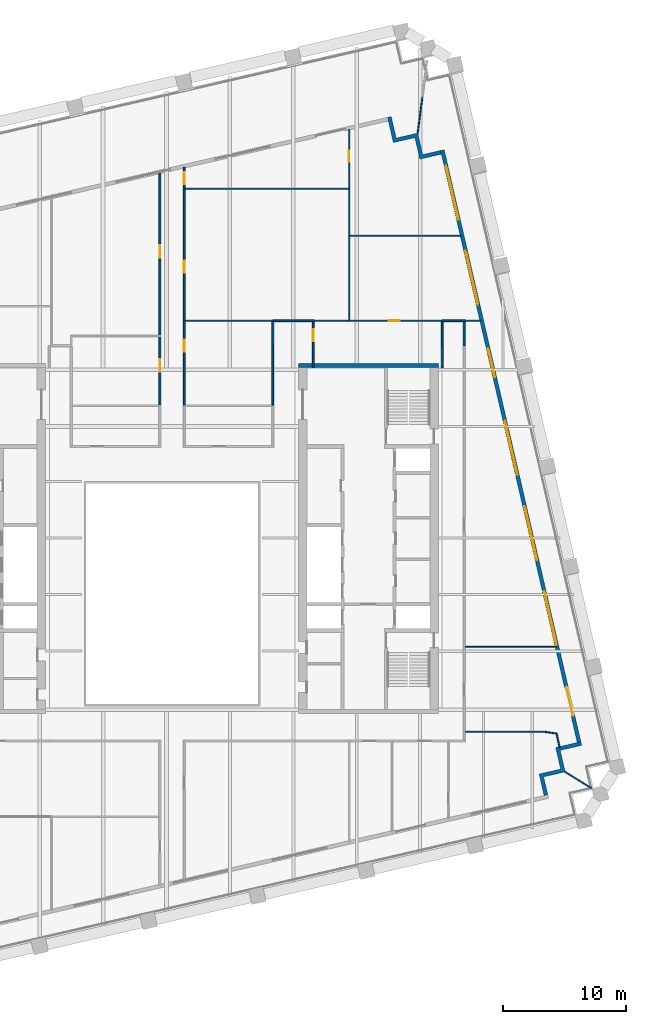
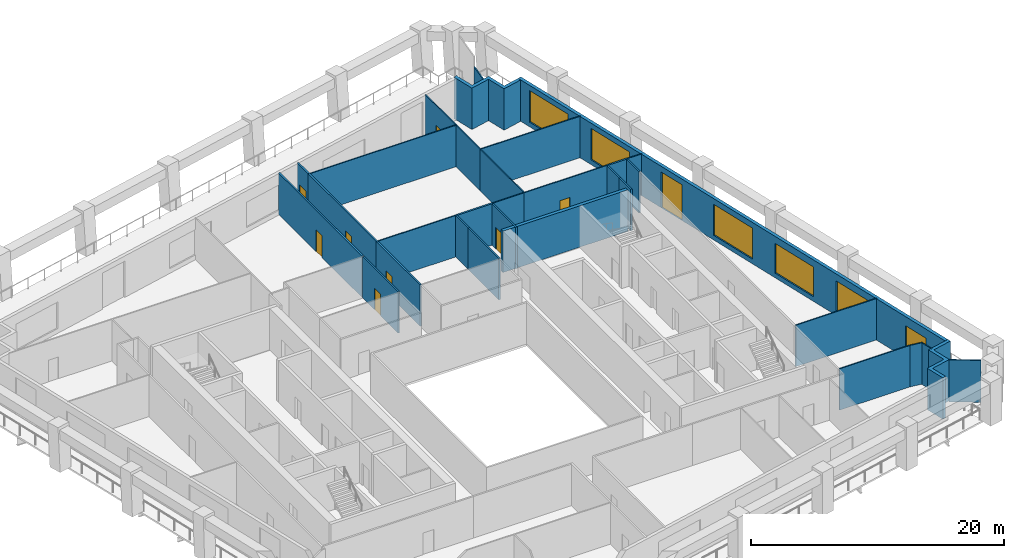
# One storey, part 8 of 11: 32 walls, 10 doors, 5 windows, 15 openings.
"""IFC4 building model written with IfcOpenShell, lengths in metres."""

import ifcopenshell
import ifcopenshell.guid

model = None  # the IFC model being written
_history = None  # IfcOwnerHistory: only IFC2X3 demands one
_inside = {}  # id of a spatial element -> (the spatial element, [elements in it])
_under = {}  # id of a project, library or spatial element -> (it, [spatial elements below it])
_declared = {}  # id of a project -> (the project, [libraries it declares])
_typed = {}  # id of a type object -> (the type object, [elements of that type])
_made_of = {}  # id of a material, layer set ... -> (it, [elements and type objects made of it])


def new_model(schema):
    """Start an empty IFC model of exactly this schema.

    Asked for "IFC4X3", IfcOpenShell would pick the latest addendum, in which some entities
    have other attributes; the version numbers below select the first issue.
    IFC2X3 requires an IfcOwnerHistory on every rooted entity: one is made here for all.
    """
    global model, _history
    if schema == "IFC4X3":
        model = ifcopenshell.file(schema_version=(4, 3, 0, 0))
    else:
        model = ifcopenshell.file(schema=schema)
    _inside.clear()
    _under.clear()
    _declared.clear()
    _typed.clear()
    _made_of.clear()
    _history = None
    if model.schema == "IFC2X3":
        org = make("IfcOrganization", Name="unknown")
        user = make(
            "IfcPersonAndOrganization",
            ThePerson=make("IfcPerson", FamilyName="unknown"),
            TheOrganization=org,
        )
        app = make(
            "IfcApplication",
            ApplicationDeveloper=org,
            Version="unknown",
            ApplicationFullName="unknown",
            ApplicationIdentifier="unknown",
        )
        _history = make(
            "IfcOwnerHistory",
            OwningUser=user,
            OwningApplication=app,
            ChangeAction="ADDED",
            CreationDate=0,
        )
    return model


def make(cls, **values):
    """One entity of the class cls with the attributes given. An attribute that is None is left unset."""
    return model.create_entity(
        cls, **{name: value for name, value in values.items() if value is not None}
    )


def rooted(cls, **values):
    """An entity with a GlobalId (a new one), such as an element, a storey or a relation."""
    return make(cls, GlobalId=ifcopenshell.guid.new(), OwnerHistory=_history, **values)


def si_unit(unit_type, name, prefix=None):
    """IfcSIUnit, for example si_unit("LENGTHUNIT", "METRE", prefix="MILLI")."""
    return make("IfcSIUnit", UnitType=unit_type, Prefix=prefix, Name=name)


def assignment(units):
    """IfcUnitAssignment: the units of a project."""
    return None if units is None else make("IfcUnitAssignment", Units=units)


def point(xyz):
    """IfcCartesianPoint."""
    return None if xyz is None else make("IfcCartesianPoint", Coordinates=xyz)


def direction(xyz):
    """IfcDirection."""
    return None if xyz is None else make("IfcDirection", DirectionRatios=xyz)


def frame(location, z_axis=None, x_axis=None):
    """IfcAxis2Placement3D, a coordinate frame: its origin and axes. An axis left out is left unset."""
    return make(
        "IfcAxis2Placement3D",
        Location=point(location),
        Axis=direction(z_axis),
        RefDirection=direction(x_axis),
    )


def frame_2d(location, x_axis=None):
    """IfcAxis2Placement2D, a coordinate frame in the plane: its origin and x axis."""
    return make(
        "IfcAxis2Placement2D", Location=point(location), RefDirection=direction(x_axis)
    )


def origin():
    """The frame at (0, 0, 0) with its axes left unset."""
    return frame((0.0, 0.0, 0.0))


def place(relative_to, where):
    """IfcLocalPlacement: puts the frame where relative to a parent placement (None: the world)."""
    return make(
        "IfcLocalPlacement", PlacementRelTo=relative_to, RelativePlacement=where
    )


def context(
    kind, dimensions, precision=None, world=None, true_north=None, identifier=None
):
    """IfcGeometricRepresentationContext, for example the 3D "Model" context."""
    return make(
        "IfcGeometricRepresentationContext",
        ContextIdentifier=identifier,
        ContextType=kind,
        CoordinateSpaceDimension=dimensions,
        Precision=precision,
        WorldCoordinateSystem=world,
        TrueNorth=true_north,
    )


def subcontext(parent, identifier, kind, view, scale=None):
    """IfcGeometricRepresentationSubContext, for example "Body" below "Model"."""
    return make(
        "IfcGeometricRepresentationSubContext",
        ContextIdentifier=identifier,
        ContextType=kind,
        ParentContext=parent,
        TargetScale=scale,
        TargetView=view,
    )


def project(units=None, contexts=None):
    """IfcProject with its units and contexts."""
    return rooted(
        "IfcProject",
        Name="project",
        RepresentationContexts=contexts,
        UnitsInContext=assignment(units),
    )


def spatial(cls, under=None, at=None, **own):
    """A site, building, storey or space (cls), placed at a placement, below another one or the project."""
    s = rooted(cls, ObjectPlacement=at, **own)
    if under is not None:
        _under.setdefault(under.id(), (under, []))[1].append(s)
    return s


def polyline(points):
    """IfcPolyline through the points."""
    return make("IfcPolyline", Points=[point(p) for p in points])


def profile(cls, at=None, kind="AREA", **sizes):
    """A parametric profile (cls). Its sizes go by their IFC names, for example OverallWidth=200.0."""
    return make(cls, ProfileType=kind, Position=at, **sizes)


def rectangle(**sizes):
    """IfcRectangleProfileDef."""
    return profile("IfcRectangleProfileDef", **sizes)


def outline(outer, holes=None, kind="AREA"):
    """IfcArbitraryClosedProfileDef: a profile drawn as a closed curve; with holes, ...WithVoids."""
    if holes is None:
        return make("IfcArbitraryClosedProfileDef", ProfileType=kind, OuterCurve=outer)
    return make(
        "IfcArbitraryProfileDefWithVoids",
        ProfileType=kind,
        OuterCurve=outer,
        InnerCurves=holes,
    )


def extrude(swept, where, along, depth):
    """IfcExtrudedAreaSolid: the profile swept, set in the frame where, extruded along a direction by depth."""
    return make(
        "IfcExtrudedAreaSolid",
        SweptArea=swept,
        Position=where,
        ExtrudedDirection=direction(along),
        Depth=depth,
    )


def shape(context_of_items, identifier, shape_type, items):
    """IfcShapeRepresentation: the items that make up one representation, for example the "Body"."""
    return make(
        "IfcShapeRepresentation",
        ContextOfItems=context_of_items,
        RepresentationIdentifier=identifier,
        RepresentationType=shape_type,
        Items=items,
    )


def material(Name=None, Category=None):
    """IfcMaterial."""
    return make("IfcMaterial", Name=Name, Category=Category)


def layer(
    of_material, thickness, ventilated=None, Name=None, Category=None, Priority=None
):
    """IfcMaterialLayer: one layer of a wall or slab, of a material (None: an air gap)."""
    return make(
        "IfcMaterialLayer",
        Material=of_material,
        LayerThickness=thickness,
        IsVentilated=ventilated,
        Name=Name,
        Category=Category,
        Priority=Priority,
    )


def layer_set(layers, Name=None):
    """IfcMaterialLayerSet."""
    return make("IfcMaterialLayerSet", MaterialLayers=layers, LayerSetName=Name)


def made_of(thing, what):
    """Note that an element or type object is made of a material, layer set ...; save() writes the relation."""
    if what is not None:
        _made_of.setdefault(what.id(), (what, []))[1].append(thing)
    return thing


def type_object(cls, material=None, **own):
    """A type object (cls), such as IfcWallType, which elements share."""
    return made_of(rooted(cls, **own), material)


def element(
    cls,
    number,
    at=None,
    inside=None,
    cuts=None,
    type_object=None,
    material=None,
    context=None,
    identifier="Body",
    shape_type=None,
    held_by="IfcProductDefinitionShape",
    body=None,
    shapes=None,
    **own,
):
    """One element of the class cls, such as IfcWall. Its Tag is "e" and its number.

    at: its placement. inside: the storey or other place that contains it. cuts: it is an
    opening in that element (IfcRelVoidsElement). A single representation is given by context,
    identifier, shape_type and body (its items); several are given by shapes. held_by: the class
    of the entity that holds the representations. save() writes the other relations.
    """
    e = rooted(cls, Tag="e%d" % number, ObjectPlacement=at, **own)
    if body is not None:
        shapes = [shape(context, identifier, shape_type, body)]
    if shapes is not None:
        e.Representation = make(held_by, Representations=shapes)
    if inside is not None:
        _inside.setdefault(inside.id(), (inside, []))[1].append(e)
    if cuts is not None:
        rooted(
            "IfcRelVoidsElement", RelatingBuildingElement=cuts, RelatedOpeningElement=e
        )
    if type_object is not None:
        _typed.setdefault(type_object.id(), (type_object, []))[1].append(e)
    return made_of(e, material)


def fill(opening, filler):
    """IfcRelFillsElement: the door or window that sits in an opening."""
    return rooted(
        "IfcRelFillsElement",
        RelatingOpeningElement=opening,
        RelatedBuildingElement=filler,
    )


def aggregate(whole, parts):
    """IfcRelAggregates: a whole, such as a stair, and the parts it consists of."""
    return rooted("IfcRelAggregates", RelatingObject=whole, RelatedObjects=parts)


def save(model, path):
    """Write the relations noted so far, then the file.

    IfcRelAggregates (storeys below a building ...), IfcRelContainedInSpatialStructure (elements
    in a storey), IfcRelDefinesByType, IfcRelAssociatesMaterial and IfcRelDeclares: one each for
    every whole, place, type object, material and project.
    """
    for whole, parts in _under.values():
        aggregate(whole, parts)
    for where, things in _inside.values():
        rooted(
            "IfcRelContainedInSpatialStructure",
            RelatedElements=things,
            RelatingStructure=where,
        )
    for kind, things in _typed.values():
        rooted("IfcRelDefinesByType", RelatedObjects=things, RelatingType=kind)
    for what, things in _made_of.values():
        rooted("IfcRelAssociatesMaterial", RelatedObjects=things, RelatingMaterial=what)
    for by, libraries in _declared.values():
        rooted("IfcRelDeclares", RelatingContext=by, RelatedDefinitions=libraries)
    model.write(path)


model = new_model("IFC4")

# Units and contexts
model_context = context("Model", 3, precision=1e-05, world=origin(), true_north=direction((0.0, 1.0)))
body_context = subcontext(model_context, "Body", "Model", "MODEL_VIEW")
ifc_project = project(units=[si_unit("LENGTHUNIT", "METRE"), si_unit("AREAUNIT", "SQUARE_METRE"), si_unit("VOLUMEUNIT", "CUBIC_METRE"), si_unit("PLANEANGLEUNIT", "RADIAN"), si_unit("MASSUNIT", "GRAM", prefix="KILO")], contexts=[model_context])

# Site, building, storey
site_placement = place(None, origin())
site = spatial("IfcSite", under=ifc_project, at=site_placement, CompositionType="ELEMENT")
building_placement = place(site_placement, origin())
building = spatial("IfcBuilding", under=site, at=building_placement, Name="Ogive Exchange Tower", CompositionType="ELEMENT")
storey_placement = place(building_placement, frame((0.0, 0.0, 213.60009765625)))
storey = spatial("IfcBuildingStorey", under=building, at=storey_placement, Name="L47", CompositionType="ELEMENT", Elevation=213.60009765625)

# Wall, opening, door
ifc_material_1 = material(Name="Fire partition EI 60 150")
ifc_layer_1 = layer(ifc_material_1, 0.14990234375)
ifc_layer_set_1 = layer_set([ifc_layer_1], Name="Fire partition EI 60 150")
wall_type_1 = type_object("IfcWallType", Name="Fire partition EI 60 150", PredefinedType="PARTITIONING", material=ifc_layer_set_1)
wall_1_placement = place(storey_placement, frame((-0.989990234375, 22.360107421875, 0.0), z_axis=(0.0, 0.0, 1.0), x_axis=(0.0, 1.0, 0.0)))
wall_1 = element("IfcWall", 1, at=wall_1_placement, inside=storey, type_object=wall_type_1, Name="L47-PWL-032", PredefinedType="PARTITIONING", context=body_context, shape_type="SweptSolid", body=[
    extrude(rectangle(XDim=5.58984375, YDim=0.14990234375, at=frame_2d((2.794921875, 0.0))), origin(), (0.0, 0.0, 1.0), 4.0),
])
opening_1_placement = place(wall_1_placement, frame((2.739990234375, 0.0, 0.0)))
opening_1 = element("IfcOpeningElement", 2, at=opening_1_placement, cuts=wall_1, Name="Opening L47-I03", PredefinedType="OPENING", context=body_context, shape_type="SweptSolid", body=[
    extrude(rectangle(XDim=1.0, YDim=2.10009765625, at=frame_2d((0.5, 1.050048828125))), frame((0.0, 0.0849609375, 0.0), z_axis=(0.0, -1.0, 0.0), x_axis=(1.0, 0.0, 0.0)), (0.0, 0.0, 1.0), 0.169921875),
])
ifc_material_2 = material(Name="Fire door FD 30S 1000 x 2100")
door_type_1 = type_object("IfcDoorType", Name="Fire door FD 30S 1000 x 2100", OperationType="NOTDEFINED", PredefinedType="DOOR", material=ifc_material_2)
door_1_placement = place(opening_1_placement, origin())
door_1 = element("IfcDoor", 3, at=door_1_placement, inside=storey, type_object=door_type_1, Name="L47-IDR-003", ObjectType="DT3", OperationType="SINGLE_SWING_LEFT", OverallHeight=2.10009765625, OverallWidth=1.0, PredefinedType="DOOR", context=body_context, shape_type="SweptSolid", body=[
    extrude(rectangle(XDim=1.0, YDim=2.10009765625, at=frame_2d((0.5, 1.050048828125))), frame((0.0, 0.02490234375, 0.0), z_axis=(0.0, -1.0, 0.0), x_axis=(1.0, 0.0, 0.0)), (0.0, 0.0, 1.0), 0.050048828125),
])
fill(opening_1, door_1)

wall_2_placement = place(storey_placement, frame((-0.989990234375, 28.050048828125, 0.0), z_axis=(0.0, 0.0, 1.0), x_axis=(0.0, 1.0, 0.0)))
wall_2 = element("IfcWall", 4, at=wall_2_placement, inside=storey, type_object=wall_type_1, Name="L47-PWL-033", PredefinedType="PARTITIONING", context=body_context, shape_type="SweptSolid", body=[
    extrude(rectangle(XDim=13.245849609375, YDim=0.14990234375, at=frame_2d((6.623046875, 0.0))), origin(), (0.0, 0.0, 1.0), 4.0),
])
opening_2_placement = place(wall_2_placement, frame((6.320068359375, 0.0, 0.0)))
opening_2 = element("IfcOpeningElement", 5, at=opening_2_placement, cuts=wall_2, Name="Opening L47-I04", PredefinedType="OPENING", context=body_context, shape_type="SweptSolid", body=[
    extrude(rectangle(XDim=1.0, YDim=2.10009765625, at=frame_2d((0.5, 1.050048828125))), frame((0.0, 0.0849609375, 0.0), z_axis=(0.0, -1.0, 0.0), x_axis=(1.0, 0.0, 0.0)), (0.0, 0.0, 1.0), 0.169921875),
])
door_2_placement = place(opening_2_placement, origin())
door_2 = element("IfcDoor", 6, at=door_2_placement, inside=storey, type_object=door_type_1, Name="L47-IDR-004", ObjectType="DT3", OperationType="SINGLE_SWING_RIGHT", OverallHeight=2.10009765625, OverallWidth=1.0, PredefinedType="DOOR", context=body_context, shape_type="SweptSolid", body=[
    extrude(rectangle(XDim=1.0, YDim=2.10009765625, at=frame_2d((0.5, 1.050048828125))), frame((0.0, 0.02490234375, 0.0), z_axis=(0.0, -1.0, 0.0), x_axis=(1.0, 0.0, 0.0)), (0.0, 0.0, 1.0), 0.050048828125),
])
fill(opening_2, door_2)

wall_3_placement = place(storey_placement, frame((0.989990234375, 29.239990234375, 0.0), z_axis=(0.0, 0.0, 1.0), x_axis=(0.0, -1.0, 0.0)))
wall_3 = element("IfcWall", 7, at=wall_3_placement, inside=storey, type_object=wall_type_1, Name="L47-PWL-038", PredefinedType="PARTITIONING", context=body_context, shape_type="SweptSolid", body=[
    extrude(rectangle(XDim=6.929931640625, YDim=0.14990234375, at=frame_2d((3.46484375, 0.0))), origin(), (0.0, 0.0, 1.0), 4.0),
])
opening_3_placement = place(wall_3_placement, frame((1.530029296875, 0.0, 0.0)))
opening_3 = element("IfcOpeningElement", 8, at=opening_3_placement, cuts=wall_3, Name="Opening L47-I19", PredefinedType="OPENING", context=body_context, shape_type="SweptSolid", body=[
    extrude(rectangle(XDim=1.0, YDim=2.10009765625, at=frame_2d((0.5, 1.050048828125))), frame((0.0, 0.0849609375, 0.0), z_axis=(0.0, -1.0, 0.0), x_axis=(1.0, 0.0, 0.0)), (0.0, 0.0, 1.0), 0.169921875),
])
door_3_placement = place(opening_3_placement, origin())
door_3 = element("IfcDoor", 9, at=door_3_placement, inside=storey, type_object=door_type_1, Name="L47-IDR-019", ObjectType="DT3", OperationType="SINGLE_SWING_RIGHT", OverallHeight=2.10009765625, OverallWidth=1.0, PredefinedType="DOOR", context=body_context, shape_type="SweptSolid", body=[
    extrude(rectangle(XDim=1.0, YDim=2.10009765625, at=frame_2d((0.5, 1.050048828125))), frame((0.0, 0.02490234375, 0.0), z_axis=(0.0, -1.0, 0.0), x_axis=(1.0, 0.0, 0.0)), (0.0, 0.0, 1.0), 0.050048828125),
])
fill(opening_3, door_3)

wall_4_placement = place(storey_placement, frame((0.989990234375, 40.050048828125, 0.0), z_axis=(0.0, 0.0, 1.0), x_axis=(0.0, -1.0, 0.0)))
wall_4 = element("IfcWall", 10, at=wall_4_placement, inside=storey, type_object=wall_type_1, Name="L47-PWL-040", PredefinedType="PARTITIONING", context=body_context, shape_type="SweptSolid", body=[
    extrude(rectangle(XDim=10.81005859375, YDim=0.14990234375, at=frame_2d((5.405029296875, 0.0))), origin(), (0.0, 0.0, 1.0), 4.0),
])
opening_4_placement = place(wall_4_placement, frame((5.909912109375, 0.0, 0.0)))
opening_4 = element("IfcOpeningElement", 11, at=opening_4_placement, cuts=wall_4, Name="Opening L47-I22", PredefinedType="OPENING", context=body_context, shape_type="SweptSolid", body=[
    extrude(rectangle(XDim=1.0, YDim=2.10009765625, at=frame_2d((0.5, 1.050048828125))), frame((0.0, 0.0849609375, 0.0), z_axis=(0.0, -1.0, 0.0), x_axis=(1.0, 0.0, 0.0)), (0.0, 0.0, 1.0), 0.169921875),
])
door_4_placement = place(opening_4_placement, origin())
door_4 = element("IfcDoor", 12, at=door_4_placement, inside=storey, type_object=door_type_1, Name="L47-IDR-022", ObjectType="DT3", OperationType="SINGLE_SWING_LEFT", OverallHeight=2.10009765625, OverallWidth=1.0, PredefinedType="DOOR", context=body_context, shape_type="SweptSolid", body=[
    extrude(rectangle(XDim=1.0, YDim=2.10009765625, at=frame_2d((0.5, 1.050048828125))), frame((0.0, 0.02490234375, 0.0), z_axis=(0.0, -1.0, 0.0), x_axis=(1.0, 0.0, 0.0)), (0.0, 0.0, 1.0), 0.050048828125),
])
fill(opening_4, door_4)

wall_5_placement = place(storey_placement, frame((0.989990234375, 41.7529296875, 0.0), z_axis=(0.0, 0.0, 1.0), x_axis=(0.0, -1.0, 0.0)))
wall_5 = element("IfcWall", 13, at=wall_5_placement, inside=storey, type_object=wall_type_1, Name="L47-PWL-041", PredefinedType="PARTITIONING", context=body_context, shape_type="SweptSolid", body=[
    extrude(rectangle(XDim=1.702880859375, YDim=0.14990234375, at=frame_2d((0.8515625, 0.0))), origin(), (0.0, 0.0, 1.0), 4.0),
])
opening_5_placement = place(wall_5_placement, frame((0.403076171875, 0.0, 0.0)))
opening_5 = element("IfcOpeningElement", 14, at=opening_5_placement, cuts=wall_5, Name="Opening L47-I21", PredefinedType="OPENING", context=body_context, shape_type="SweptSolid", body=[
    extrude(rectangle(XDim=1.0, YDim=2.10009765625, at=frame_2d((0.5, 1.050048828125))), frame((0.0, 0.0849609375, 0.0), z_axis=(0.0, -1.0, 0.0), x_axis=(1.0, 0.0, 0.0)), (0.0, 0.0, 1.0), 0.169921875),
])
door_5_placement = place(opening_5_placement, origin())
door_5 = element("IfcDoor", 15, at=door_5_placement, inside=storey, type_object=door_type_1, Name="L47-IDR-021", ObjectType="DT3", OperationType="SINGLE_SWING_LEFT", OverallHeight=2.10009765625, OverallWidth=1.0, PredefinedType="DOOR", context=body_context, shape_type="SweptSolid", body=[
    extrude(rectangle(XDim=1.0, YDim=2.10009765625, at=frame_2d((0.5, 1.050048828125))), frame((0.0, 0.02490234375, 0.0), z_axis=(0.0, -1.0, 0.0), x_axis=(1.0, 0.0, 0.0)), (0.0, 0.0, 1.0), 0.050048828125),
])
fill(opening_5, door_5)

# Walls
wall_6_placement = place(storey_placement, frame((8.199951171875, 22.360107421875, 0.0), z_axis=(0.0, 0.0, 1.0), x_axis=(0.0, 1.0, 0.0)))
element("IfcWall", 16, at=wall_6_placement, inside=storey, type_object=wall_type_1, Name="L47-PWL-043", PredefinedType="PARTITIONING", context=body_context, shape_type="SweptSolid", body=[
    extrude(rectangle(XDim=4.83984375, YDim=0.14990234375, at=frame_2d((2.419921875, 0.0))), origin(), (0.0, 0.0, 1.0), 4.0),
])
wall_7_placement = place(storey_placement, frame((8.2099609375, 27.199951171875, 0.0), z_axis=(0.0, 0.0, 1.0), x_axis=(0.0, 1.0, 0.0)))
element("IfcWall", 17, at=wall_7_placement, inside=storey, type_object=wall_type_1, Name="L47-PWL-044", PredefinedType="PARTITIONING", context=body_context, shape_type="SweptSolid", body=[
    extrude(rectangle(XDim=1.989990234375, YDim=0.14990234375, at=frame_2d((0.9951171875, 0.0))), origin(), (0.0, 0.0, 1.0), 4.0),
])
wall_8_placement = place(storey_placement, frame((8.2099609375, 29.239990234375, 0.0), z_axis=(0.0, 0.0, 1.0), x_axis=(1.0, 0.0, 0.0)))
element("IfcWall", 18, at=wall_8_placement, inside=storey, type_object=wall_type_1, Name="L47-PWL-045", PredefinedType="PARTITIONING", context=body_context, shape_type="SweptSolid", body=[
    extrude(rectangle(XDim=3.364990234375, YDim=0.14990234375, at=frame_2d((1.6826171875, 0.0))), origin(), (0.0, 0.0, 1.0), 4.0),
])

# Wall, opening, door
wall_9_placement = place(storey_placement, frame((11.5, 29.1650390625, 0.0), z_axis=(0.0, 0.0, 1.0), x_axis=(0.0, -1.0, 0.0)))
wall_9 = element("IfcWall", 19, at=wall_9_placement, inside=storey, type_object=wall_type_1, Name="L47-PWL-047", PredefinedType="PARTITIONING", context=body_context, shape_type="SweptSolid", body=[
    extrude(rectangle(XDim=3.76513671875, YDim=0.14990234375, at=frame_2d((1.882568359375, 0.0))), origin(), (0.0, 0.0, 1.0), 4.0),
])
opening_6_placement = place(wall_9_placement, frame((0.614990234375, 0.0, 0.0)))
opening_6 = element("IfcOpeningElement", 20, at=opening_6_placement, cuts=wall_9, Name="Opening L47-I20", PredefinedType="OPENING", context=body_context, shape_type="SweptSolid", body=[
    extrude(rectangle(XDim=1.0, YDim=2.10009765625, at=frame_2d((0.5, 1.050048828125))), frame((0.0, 0.0849609375, 0.0), z_axis=(0.0, -1.0, 0.0), x_axis=(1.0, 0.0, 0.0)), (0.0, 0.0, 1.0), 0.169921875),
])
door_6_placement = place(opening_6_placement, origin())
door_6 = element("IfcDoor", 21, at=door_6_placement, inside=storey, type_object=door_type_1, Name="L47-IDR-020", ObjectType="DT3", OperationType="SINGLE_SWING_RIGHT", OverallHeight=2.10009765625, OverallWidth=1.0, PredefinedType="DOOR", context=body_context, shape_type="SweptSolid", body=[
    extrude(rectangle(XDim=1.0, YDim=2.10009765625, at=frame_2d((0.5, 1.050048828125))), frame((0.0, 0.02490234375, 0.0), z_axis=(0.0, -1.0, 0.0), x_axis=(1.0, 0.0, 0.0)), (0.0, 0.0, 1.0), 0.050048828125),
])
fill(opening_6, door_6)

# Walls
wall_10_placement = place(storey_placement, frame((22.0, 25.39990234375, 0.0), z_axis=(0.0, 0.0, 1.0), x_axis=(0.0, 1.0, 0.0)))
element("IfcWall", 22, at=wall_10_placement, inside=storey, type_object=wall_type_1, Name="L47-PWL-059", PredefinedType="PARTITIONING", context=body_context, shape_type="SweptSolid", body=[
    extrude(rectangle(XDim=1.800048828125, YDim=0.14990234375, at=frame_2d((0.89990234375, 0.0))), origin(), (0.0, 0.0, 1.0), 4.0),
])
wall_11_placement = place(storey_placement, frame((22.010009765625, 27.199951171875, 0.0), z_axis=(0.0, 0.0, 1.0), x_axis=(0.0, 1.0, 0.0)))
element("IfcWall", 23, at=wall_11_placement, inside=storey, type_object=wall_type_1, Name="L47-PWL-060", PredefinedType="PARTITIONING", context=body_context, shape_type="SweptSolid", body=[
    extrude(rectangle(XDim=1.989990234375, YDim=0.14990234375, at=frame_2d((0.9951171875, 0.0))), origin(), (0.0, 0.0, 1.0), 4.0),
])
wall_12_placement = place(storey_placement, frame((22.010009765625, 29.239990234375, 0.0), z_axis=(0.0, 0.0, 1.0), x_axis=(1.0, 0.0, 0.0)))
element("IfcWall", 24, at=wall_12_placement, inside=storey, type_object=wall_type_1, Name="L47-PWL-061", PredefinedType="PARTITIONING", context=body_context, shape_type="SweptSolid", body=[
    extrude(rectangle(XDim=1.85498046875, YDim=0.14990234375, at=frame_2d((0.927490234375, 0.0))), origin(), (0.0, 0.0, 1.0), 4.0),
])
wall_13_placement = place(storey_placement, frame((23.7900390625, 29.1650390625, 0.0), z_axis=(0.0, 0.0, 1.0), x_axis=(0.0, -1.0, 0.0)))
element("IfcWall", 25, at=wall_13_placement, inside=storey, type_object=wall_type_1, Name="L47-PWL-064", PredefinedType="PARTITIONING", context=body_context, shape_type="SweptSolid", body=[
    extrude(rectangle(XDim=1.965087890625, YDim=0.14990234375, at=frame_2d((0.982421875, 0.0))), origin(), (0.0, 0.0, 1.0), 4.0),
])

# Wall, openings, doors, windows
ifc_material_3 = material(Name="Precast concrete C40/50", Category="concrete")
ifc_layer_2 = layer(ifc_material_3, 0.300048828125)
ifc_layer_set_2 = layer_set([ifc_layer_2], Name="Limestone-faced wall 300")
wall_type_2 = type_object("IfcWallType", Name="Limestone-faced wall 300", PredefinedType="STANDARD", material=ifc_layer_set_2)
wall_14_placement = place(storey_placement, frame((33.1572265625, -5.092041015625, 0.0), z_axis=(0.0, 0.0, 1.0), x_axis=(-0.224950279389, 0.974370243697, 0.0)))
wall_14 = element("IfcWall", 26, at=wall_14_placement, inside=storey, type_object=wall_type_2, Name="External wall E2", PredefinedType="STANDARD", context=body_context, shape_type="SweptSolid", body=[
    extrude(rectangle(XDim=49.499755859375, YDim=0.300048828125, at=frame_2d((24.75, 0.0))), origin(), (0.0, 0.0, 1.0), 4.0),
])
opening_7_placement = place(wall_14_placement, frame((2.20703125, 0.0, 0.0)))
opening_7 = element("IfcOpeningElement", 27, at=opening_7_placement, cuts=wall_14, Name="Opening D1J", PredefinedType="OPENING", context=body_context, shape_type="SweptSolid", body=[
    extrude(rectangle(XDim=2.39990234375, YDim=3.125, at=frame_2d((1.199951171875, 1.5625))), frame((0.0, 0.159912109375, 0.0), z_axis=(0.0, -1.0, 0.0), x_axis=(1.0, 0.0, 0.0)), (0.0, 0.0, 1.0), 0.320068359375),
])
opening_8_placement = place(wall_14_placement, frame((8.121337890625, 0.0, 0.449951171875)))
opening_8 = element("IfcOpeningElement", 28, at=opening_8_placement, cuts=wall_14, Name="Opening W1D", PredefinedType="OPENING", context=body_context, shape_type="SweptSolid", body=[
    extrude(rectangle(XDim=4.5, YDim=2.875, at=frame_2d((2.25, 1.4375))), frame((0.0, 0.159912109375, 0.0), z_axis=(0.0, -1.0, 0.0), x_axis=(1.0, 0.0, 0.0)), (0.0, 0.0, 1.0), 0.320068359375),
])
opening_9_placement = place(wall_14_placement, frame((15.235595703125, 0.0, 0.449951171875)))
opening_9 = element("IfcOpeningElement", 29, at=opening_9_placement, cuts=wall_14, Name="Opening W1D", PredefinedType="OPENING", context=body_context, shape_type="SweptSolid", body=[
    extrude(rectangle(XDim=4.5, YDim=2.875, at=frame_2d((2.25, 1.4375))), frame((0.0, 0.159912109375, 0.0), z_axis=(0.0, -1.0, 0.0), x_axis=(1.0, 0.0, 0.0)), (0.0, 0.0, 1.0), 0.320068359375),
])
opening_10_placement = place(wall_14_placement, frame((22.35009765625, 0.0, 0.449951171875)))
opening_10 = element("IfcOpeningElement", 30, at=opening_10_placement, cuts=wall_14, Name="Opening W1A", PredefinedType="OPENING", context=body_context, shape_type="SweptSolid", body=[
    extrude(rectangle(XDim=4.5, YDim=3.0, at=frame_2d((2.25, 1.5))), frame((0.0, 0.159912109375, 0.0), z_axis=(0.0, -1.0, 0.0), x_axis=(1.0, 0.0, 0.0)), (0.0, 0.0, 1.0), 0.320068359375),
])
opening_11_placement = place(wall_14_placement, frame((30.51416015625, 0.0, 0.0)))
opening_11 = element("IfcOpeningElement", 31, at=opening_11_placement, cuts=wall_14, Name="Opening D1A", PredefinedType="OPENING", context=body_context, shape_type="SweptSolid", body=[
    extrude(rectangle(XDim=2.39990234375, YDim=3.449951171875, at=frame_2d((1.199951171875, 1.72509765625))), frame((0.0, 0.159912109375, 0.0), z_axis=(0.0, -1.0, 0.0), x_axis=(1.0, 0.0, 0.0)), (0.0, 0.0, 1.0), 0.320068359375),
])
opening_12_placement = place(wall_14_placement, frame((36.57861328125, 0.0, 0.449951171875)))
opening_12 = element("IfcOpeningElement", 32, at=opening_12_placement, cuts=wall_14, Name="Opening W1", PredefinedType="OPENING", context=body_context, shape_type="SweptSolid", body=[
    extrude(rectangle(XDim=4.5, YDim=3.050048828125, at=frame_2d((2.25, 1.52490234375))), frame((0.0, 0.159912109375, 0.0), z_axis=(0.0, -1.0, 0.0), x_axis=(1.0, 0.0, 0.0)), (0.0, 0.0, 1.0), 0.320068359375),
])
opening_13_placement = place(wall_14_placement, frame((43.69287109375, 0.0, 0.449951171875)))
opening_13 = element("IfcOpeningElement", 33, at=opening_13_placement, cuts=wall_14, Name="Opening W1", PredefinedType="OPENING", context=body_context, shape_type="SweptSolid", body=[
    extrude(rectangle(XDim=4.5, YDim=3.050048828125, at=frame_2d((2.25, 1.52490234375))), frame((0.0, 0.159912109375, 0.0), z_axis=(0.0, -1.0, 0.0), x_axis=(1.0, 0.0, 0.0)), (0.0, 0.0, 1.0), 0.320068359375),
])
ifc_material_4 = material(Name="Clear glass in bronze frame", Category="glass")
door_type_2 = type_object("IfcDoorType", Name="Sliding loggia door 2400 x 3125", OperationType="DOUBLE_DOOR_SLIDING", PredefinedType="DOOR", material=ifc_material_4)
door_7_placement = place(opening_7_placement, origin())
door_7 = element("IfcDoor", 34, at=door_7_placement, inside=storey, type_object=door_type_2, Name="Loggia door E00", OperationType="DOUBLE_DOOR_SLIDING", OverallHeight=3.125, OverallWidth=2.39990234375, PredefinedType="DOOR", context=body_context, shape_type="SweptSolid", body=[
    extrude(rectangle(XDim=2.39990234375, YDim=3.125, at=frame_2d((1.199951171875, 1.5625))), frame((0.0, 0.02490234375, 0.0), z_axis=(0.0, -1.0, 0.0), x_axis=(1.0, 0.0, 0.0)), (0.0, 0.0, 1.0), 0.050048828125),
])
fill(opening_7, door_7)
door_type_3 = type_object("IfcDoorType", Name="Sliding loggia door 2400 x 3450", OperationType="DOUBLE_DOOR_SLIDING", PredefinedType="DOOR", material=ifc_material_4)
door_8_placement = place(opening_11_placement, origin())
door_8 = element("IfcDoor", 35, at=door_8_placement, inside=storey, type_object=door_type_3, Name="Loggia door E04", OperationType="DOUBLE_DOOR_SLIDING", OverallHeight=3.449951171875, OverallWidth=2.39990234375, PredefinedType="DOOR", context=body_context, shape_type="SweptSolid", body=[
    extrude(rectangle(XDim=2.39990234375, YDim=3.449951171875, at=frame_2d((1.199951171875, 1.72509765625))), frame((0.0, 0.02490234375, 0.0), z_axis=(0.0, -1.0, 0.0), x_axis=(1.0, 0.0, 0.0)), (0.0, 0.0, 1.0), 0.050048828125),
])
fill(opening_11, door_8)
window_type_1 = type_object("IfcWindowType", Name="Twin lancet window 4500 x 2875", PartitioningType="DOUBLE_PANEL_VERTICAL", PredefinedType="WINDOW", material=ifc_material_4)
window_1_placement = place(opening_8_placement, origin())
window_1 = element("IfcWindow", 36, at=window_1_placement, inside=storey, type_object=window_type_1, Name="Window E01", OverallHeight=2.875, OverallWidth=4.5, PartitioningType="DOUBLE_PANEL_VERTICAL", PredefinedType="WINDOW", context=body_context, shape_type="SweptSolid", body=[
    extrude(rectangle(XDim=4.5, YDim=2.875, at=frame_2d((2.25, 1.4375))), frame((0.0, 0.030029296875, 0.0), z_axis=(0.0, -1.0, 0.0), x_axis=(1.0, 0.0, 0.0)), (0.0, 0.0, 1.0), 0.06005859375),
])
fill(opening_8, window_1)
window_2_placement = place(opening_9_placement, origin())
window_2 = element("IfcWindow", 37, at=window_2_placement, inside=storey, type_object=window_type_1, Name="Window E02", OverallHeight=2.875, OverallWidth=4.5, PartitioningType="DOUBLE_PANEL_VERTICAL", PredefinedType="WINDOW", context=body_context, shape_type="SweptSolid", body=[
    extrude(rectangle(XDim=4.5, YDim=2.875, at=frame_2d((2.25, 1.4375))), frame((0.0, 0.030029296875, 0.0), z_axis=(0.0, -1.0, 0.0), x_axis=(1.0, 0.0, 0.0)), (0.0, 0.0, 1.0), 0.06005859375),
])
fill(opening_9, window_2)
window_type_2 = type_object("IfcWindowType", Name="Twin lancet window 4500 x 3000", PartitioningType="DOUBLE_PANEL_VERTICAL", PredefinedType="WINDOW", material=ifc_material_4)
window_3_placement = place(opening_10_placement, origin())
window_3 = element("IfcWindow", 38, at=window_3_placement, inside=storey, type_object=window_type_2, Name="Window E03", OverallHeight=3.0, OverallWidth=4.5, PartitioningType="DOUBLE_PANEL_VERTICAL", PredefinedType="WINDOW", context=body_context, shape_type="SweptSolid", body=[
    extrude(rectangle(XDim=4.5, YDim=3.0, at=frame_2d((2.25, 1.5))), frame((0.0, 0.030029296875, 0.0), z_axis=(0.0, -1.0, 0.0), x_axis=(1.0, 0.0, 0.0)), (0.0, 0.0, 1.0), 0.06005859375),
])
fill(opening_10, window_3)
window_type_3 = type_object("IfcWindowType", Name="Twin lancet window 4500 x 3050", PartitioningType="DOUBLE_PANEL_VERTICAL", PredefinedType="WINDOW", material=ifc_material_4)
window_4_placement = place(opening_12_placement, origin())
window_4 = element("IfcWindow", 39, at=window_4_placement, inside=storey, type_object=window_type_3, Name="Window E05", OverallHeight=3.050048828125, OverallWidth=4.5, PartitioningType="DOUBLE_PANEL_VERTICAL", PredefinedType="WINDOW", context=body_context, shape_type="SweptSolid", body=[
    extrude(rectangle(XDim=4.5, YDim=3.050048828125, at=frame_2d((2.25, 1.52490234375))), frame((0.0, 0.030029296875, 0.0), z_axis=(0.0, -1.0, 0.0), x_axis=(1.0, 0.0, 0.0)), (0.0, 0.0, 1.0), 0.06005859375),
])
fill(opening_12, window_4)
window_5_placement = place(opening_13_placement, origin())
window_5 = element("IfcWindow", 40, at=window_5_placement, inside=storey, type_object=window_type_3, Name="Window E06", OverallHeight=3.050048828125, OverallWidth=4.5, PartitioningType="DOUBLE_PANEL_VERTICAL", PredefinedType="WINDOW", context=body_context, shape_type="SweptSolid", body=[
    extrude(rectangle(XDim=4.5, YDim=3.050048828125, at=frame_2d((2.25, 1.52490234375))), frame((0.0, 0.030029296875, 0.0), z_axis=(0.0, -1.0, 0.0), x_axis=(1.0, 0.0, 0.0)), (0.0, 0.0, 1.0), 0.06005859375),
])
fill(opening_13, window_5)

# Walls
wall_15_placement = place(storey_placement, origin())
element("IfcWall", 41, at=wall_15_placement, inside=storey, type_object=wall_type_2, Name="External corner wall C1", PredefinedType="STANDARD", context=body_context, shape_type="SweptSolid", body=[
    extrude(outline(polyline([(31.662109375, -7.28466796875), (31.257080078125, -5.53076171875), (33.30322265625, -5.058349609375), (33.370849609375, -5.3505859375), (31.616943359375, -5.755615234375), (32.02197265625, -7.509521484375), (30.26806640625, -7.914306640625), (30.60546875, -9.3759765625), (30.31298828125, -9.443359375), (29.908203125, -7.689697265625), (31.662109375, -7.28466796875)])), origin(), (0.0, 0.0, 1.0), 4.0),
])
wall_16_placement = place(storey_placement, origin())
element("IfcWall", 42, at=wall_16_placement, inside=storey, type_object=wall_type_2, Name="External corner wall C2", PredefinedType="STANDARD", context=body_context, shape_type="SweptSolid", body=[
    extrude(outline(polyline([(19.78466796875, 44.162109375), (18.03076171875, 43.757080078125), (17.558349609375, 45.80322265625), (17.8505859375, 45.870849609375), (18.255615234375, 44.116943359375), (20.009521484375, 44.52197265625), (20.414306640625, 42.76806640625), (21.8759765625, 43.10546875), (21.943359375, 42.81298828125), (20.189697265625, 42.408203125), (19.78466796875, 44.162109375)])), origin(), (0.0, 0.0, 1.0), 4.0),
])
ifc_material_5 = material(Name="Laminated safety glass in steel frame", Category="steel")
ifc_layer_3 = layer(ifc_material_5, 0.10009765625)
ifc_layer_set_3 = layer_set([ifc_layer_3], Name="Loggia end screen 100")
wall_type_3 = type_object("IfcWallType", Name="Loggia end screen 100", PredefinedType="STANDARD", material=ifc_layer_set_3)
wall_17_placement = place(storey_placement, frame((32.02197265625, -7.509521484375, -0.050048828125), z_axis=(0.0, 0.0, 1.0), x_axis=(0.848047176257, -0.529920736377, 0.0)))
element("IfcWall", 43, at=wall_17_placement, inside=storey, type_object=wall_type_3, Name="Loggia end screen C1", PredefinedType="STANDARD", context=body_context, shape_type="SweptSolid", body=[
    extrude(rectangle(XDim=2.525634765625, YDim=0.10009765625, at=frame_2d((1.2626953125, 0.0))), origin(), (0.0, 0.0, 1.0), 4.050048828125),
])
wall_18_placement = place(storey_placement, frame((20.009521484375, 44.52197265625, -0.050048828125), z_axis=(0.0, 0.0, 1.0), x_axis=(0.129780065945, 0.991542805169, 0.0)))
element("IfcWall", 44, at=wall_18_placement, inside=storey, type_object=wall_type_3, Name="Loggia end screen C2", PredefinedType="STANDARD", context=body_context, shape_type="SweptSolid", body=[
    extrude(rectangle(XDim=2.959228515625, YDim=0.10009765625, at=frame_2d((1.4794921875, 0.0))), origin(), (0.0, 0.0, 1.0), 3.070068359375),
])
ifc_material_6 = material(Name="Partition 100 gypsum")
ifc_layer_4 = layer(ifc_material_6, 0.10009765625)
ifc_layer_set_4 = layer_set([ifc_layer_4], Name="Partition 100 gypsum")
wall_type_4 = type_object("IfcWallType", Name="Partition 100 gypsum", PredefinedType="PARTITIONING", material=ifc_layer_set_4)
wall_19_placement = place(storey_placement, frame((1.06494140625, 29.239990234375, 0.0), z_axis=(0.0, 0.0, 1.0), x_axis=(1.0, 0.0, 0.0)))
element("IfcWall", 45, at=wall_19_placement, inside=storey, type_object=wall_type_4, Name="L47-PWL-039", PredefinedType="PARTITIONING", context=body_context, shape_type="SweptSolid", body=[
    extrude(rectangle(XDim=7.14501953125, YDim=0.10009765625, at=frame_2d((3.572509765625, 0.0))), origin(), (0.0, 0.0, 1.0), 4.0),
])
wall_20_placement = place(storey_placement, frame((11.574951171875, 29.239990234375, 0.0), z_axis=(0.0, 0.0, 1.0), x_axis=(1.0, 0.0, 0.0)))
element("IfcWall", 46, at=wall_20_placement, inside=storey, type_object=wall_type_4, Name="L47-PWL-048", PredefinedType="PARTITIONING", context=body_context, shape_type="SweptSolid", body=[
    extrude(rectangle(XDim=2.804931640625, YDim=0.10009765625, at=frame_2d((1.40234375, 0.0))), origin(), (0.0, 0.0, 1.0), 4.0),
])

# Wall, opening, door
wall_21_placement = place(storey_placement, frame((14.3798828125, 29.239990234375, 0.0), z_axis=(0.0, 0.0, 1.0), x_axis=(1.0, 0.0, 0.0)))
wall_21 = element("IfcWall", 47, at=wall_21_placement, inside=storey, type_object=wall_type_4, Name="L47-PWL-051", PredefinedType="PARTITIONING", context=body_context, shape_type="SweptSolid", body=[
    extrude(rectangle(XDim=7.630126953125, YDim=0.10009765625, at=frame_2d((3.81494140625, 0.0))), origin(), (0.0, 0.0, 1.0), 4.0),
])
opening_14_placement = place(wall_21_placement, frame((3.280029296875, 0.0, 0.0)))
opening_14 = element("IfcOpeningElement", 48, at=opening_14_placement, cuts=wall_21, Name="Opening L47-I23", PredefinedType="OPENING", context=body_context, shape_type="SweptSolid", body=[
    extrude(rectangle(XDim=0.89990234375, YDim=2.10009765625, at=frame_2d((0.449951171875, 1.050048828125))), frame((0.0, 0.06005859375, 0.0), z_axis=(0.0, -1.0, 0.0), x_axis=(1.0, 0.0, 0.0)), (0.0, 0.0, 1.0), 0.1201171875),
])
ifc_material_7 = material(Name="Door 900 x 2100")
door_type_4 = type_object("IfcDoorType", Name="Door 900 x 2100", OperationType="NOTDEFINED", PredefinedType="DOOR", material=ifc_material_7)
door_9_placement = place(opening_14_placement, frame((0.89990234375, 0.0, 0.0), z_axis=(0.0, 0.0, 1.0), x_axis=(-1.0, 0.0, 0.0)))
door_9 = element("IfcDoor", 49, at=door_9_placement, inside=storey, type_object=door_type_4, Name="L47-IDR-023", ObjectType="DT1", OperationType="SINGLE_SWING_RIGHT", OverallHeight=2.10009765625, OverallWidth=0.89990234375, PredefinedType="DOOR", context=body_context, shape_type="SweptSolid", body=[
    extrude(rectangle(XDim=0.89990234375, YDim=2.10009765625, at=frame_2d((0.449951171875, 1.050048828125))), frame((0.0, 0.02490234375, 0.0), z_axis=(0.0, -1.0, 0.0), x_axis=(1.0, 0.0, 0.0)), (0.0, 0.0, 1.0), 0.050048828125),
])
fill(opening_14, door_9)

# Walls
wall_22_placement = place(storey_placement, frame((14.429931640625, 36.219970703125, 0.0), z_axis=(0.0, 0.0, 1.0), x_axis=(0.0, -1.0, 0.0)))
element("IfcWall", 50, at=wall_22_placement, inside=storey, type_object=wall_type_4, Name="L47-PWL-052", PredefinedType="PARTITIONING", context=body_context, shape_type="SweptSolid", body=[
    extrude(rectangle(XDim=6.929931640625, YDim=0.10009765625, at=frame_2d((3.46484375, 0.0))), origin(), (0.0, 0.0, 1.0), 4.0),
])
wall_23_placement = place(storey_placement, frame((14.47998046875, 36.169921875, 0.0), z_axis=(0.0, 0.0, 1.0), x_axis=(1.0, 0.0, 0.0)))
element("IfcWall", 51, at=wall_23_placement, inside=storey, type_object=wall_type_4, Name="L47-PWL-053", PredefinedType="PARTITIONING", context=body_context, shape_type="SweptSolid", body=[
    extrude(rectangle(XDim=9.080078125, YDim=0.10009765625, at=frame_2d((4.5400390625, 0.0))), origin(), (0.0, 0.0, 1.0), 4.0),
])
wall_24_placement = place(storey_placement, frame((14.47998046875, 40.0, 0.0), z_axis=(0.0, 0.0, 1.0), x_axis=(-1.0, 0.0, 0.0)))
element("IfcWall", 52, at=wall_24_placement, inside=storey, type_object=wall_type_4, Name="L47-PWL-054", PredefinedType="PARTITIONING", context=body_context, shape_type="SweptSolid", body=[
    extrude(rectangle(XDim=13.4150390625, YDim=0.10009765625, at=frame_2d((6.70751953125, 0.0))), origin(), (0.0, 0.0, 1.0), 4.0),
])
wall_25_placement = place(storey_placement, frame((14.429931640625, 39.949951171875, 0.0), z_axis=(0.0, 0.0, 1.0), x_axis=(0.0, -1.0, 0.0)))
element("IfcWall", 53, at=wall_25_placement, inside=storey, type_object=wall_type_4, Name="L47-PWL-055", PredefinedType="PARTITIONING", context=body_context, shape_type="SweptSolid", body=[
    extrude(rectangle(XDim=3.780029296875, YDim=0.10009765625, at=frame_2d((1.89013671875, 0.0))), origin(), (0.0, 0.0, 1.0), 4.0),
])

# Wall, opening, door
wall_26_placement = place(storey_placement, frame((14.429931640625, 44.85595703125, 0.0), z_axis=(0.0, 0.0, 1.0), x_axis=(0.0, -1.0, 0.0)))
wall_26 = element("IfcWall", 54, at=wall_26_placement, inside=storey, type_object=wall_type_4, Name="L47-PWL-056", PredefinedType="PARTITIONING", context=body_context, shape_type="SweptSolid", body=[
    extrude(rectangle(XDim=4.805908203125, YDim=0.10009765625, at=frame_2d((2.40283203125, 0.0))), origin(), (0.0, 0.0, 1.0), 4.0),
])
opening_15_placement = place(wall_26_placement, frame((1.756103515625, 0.0, 0.0)))
opening_15 = element("IfcOpeningElement", 55, at=opening_15_placement, cuts=wall_26, Name="Opening L47-I24", PredefinedType="OPENING", context=body_context, shape_type="SweptSolid", body=[
    extrude(rectangle(XDim=0.89990234375, YDim=2.10009765625, at=frame_2d((0.449951171875, 1.050048828125))), frame((0.0, 0.06005859375, 0.0), z_axis=(0.0, -1.0, 0.0), x_axis=(1.0, 0.0, 0.0)), (0.0, 0.0, 1.0), 0.1201171875),
])
door_10_placement = place(opening_15_placement, frame((0.89990234375, 0.0, 0.0), z_axis=(0.0, 0.0, 1.0), x_axis=(-1.0, 0.0, 0.0)))
door_10 = element("IfcDoor", 56, at=door_10_placement, inside=storey, type_object=door_type_4, Name="L47-IDR-024", ObjectType="DT1", OperationType="SINGLE_SWING_LEFT", OverallHeight=2.10009765625, OverallWidth=0.89990234375, PredefinedType="DOOR", context=body_context, shape_type="SweptSolid", body=[
    extrude(rectangle(XDim=0.89990234375, YDim=2.10009765625, at=frame_2d((0.449951171875, 1.050048828125))), frame((0.0, 0.02490234375, 0.0), z_axis=(0.0, -1.0, 0.0), x_axis=(1.0, 0.0, 0.0)), (0.0, 0.0, 1.0), 0.050048828125),
])
fill(opening_15, door_10)

# Walls
wall_27_placement = place(storey_placement, frame((23.864990234375, 29.239990234375, 0.0), z_axis=(0.0, 0.0, 1.0), x_axis=(1.0, 0.0, 0.0)))
element("IfcWall", 57, at=wall_27_placement, inside=storey, type_object=wall_type_4, Name="L47-PWL-065", PredefinedType="PARTITIONING", context=body_context, shape_type="SweptSolid", body=[
    extrude(rectangle(XDim=1.294921875, YDim=0.10009765625, at=frame_2d((0.6474609375, 0.0))), origin(), (0.0, 0.0, 1.0), 4.0),
])
wall_28_placement = place(storey_placement, frame((30.300048828125, -4.239990234375, 0.0), z_axis=(0.0, 0.0, 1.0), x_axis=(-1.0, 0.0, 0.0)))
element("IfcWall", 58, at=wall_28_placement, inside=storey, type_object=wall_type_4, Name="L47-PWL-070", PredefinedType="PARTITIONING", context=body_context, shape_type="SweptSolid", body=[
    extrude(rectangle(XDim=6.425048828125, YDim=0.10009765625, at=frame_2d((3.21240234375, 0.0))), origin(), (0.0, 0.0, 1.0), 4.0),
])
wall_29_placement = place(storey_placement, frame((31.368896484375, -4.39697265625, 0.0), z_axis=(0.0, 0.0, 1.0), x_axis=(-0.989385908309, 0.145311817963, 0.0)))
element("IfcWall", 59, at=wall_29_placement, inside=storey, type_object=wall_type_4, Name="L47-PWL-071", PredefinedType="PARTITIONING", context=body_context, shape_type="SweptSolid", body=[
    extrude(rectangle(XDim=1.080322265625, YDim=0.10009765625, at=frame_2d((0.5400390625, 0.0))), origin(), (0.0, 0.0, 1.0), 4.0),
])
wall_30_placement = place(storey_placement, frame((31.2890625, 2.68994140625, 0.0), z_axis=(0.0, 0.0, 1.0), x_axis=(-1.0, 0.0, 0.0)))
element("IfcWall", 60, at=wall_30_placement, inside=storey, type_object=wall_type_4, Name="L47-PWL-072", PredefinedType="PARTITIONING", context=body_context, shape_type="SweptSolid", body=[
    extrude(rectangle(XDim=7.4140625, YDim=0.10009765625, at=frame_2d((3.70703125, 0.0))), origin(), (0.0, 0.0, 1.0), 4.0),
])
wall_31_placement = place(storey_placement, frame((31.583984375, -5.55810546875, 0.0), z_axis=(0.0, 0.0, 1.0), x_axis=(-0.220443734992, 0.975399692281, 0.0)))
element("IfcWall", 61, at=wall_31_placement, inside=storey, type_object=wall_type_4, Name="L47-PWL-073", PredefinedType="PARTITIONING", context=body_context, shape_type="SweptSolid", body=[
    extrude(rectangle(XDim=1.1474609375, YDim=0.10009765625, at=frame_2d((0.57373046875, 0.0))), origin(), (0.0, 0.0, 1.0), 4.0),
])
ifc_material_8 = material(Name="Concrete C70/85", Category="concrete")
ifc_layer_5 = layer(ifc_material_8, 0.300048828125)
ifc_layer_set_5 = layer_set([ifc_layer_5], Name="RC core wall 300 C70/85")
wall_type_5 = type_object("IfcWallType", Name="RC core wall 300 C70/85", PredefinedType="SHEAR", material=ifc_layer_set_5)
wall_32_placement = place(storey_placement, frame((10.300048828125, 25.60009765625, 0.0), z_axis=(0.0, 0.0, 1.0), x_axis=(1.0, 0.0, 0.0)))
element("IfcWall", 62, at=wall_32_placement, inside=storey, type_object=wall_type_5, Name="E north end wall", PredefinedType="SHEAR", context=body_context, shape_type="SweptSolid", body=[
    extrude(rectangle(XDim=11.39990234375, YDim=0.300048828125, at=frame_2d((5.699951171875, 0.0))), origin(), (0.0, 0.0, 1.0), 4.0),
])

save(model, "model.ifc")
